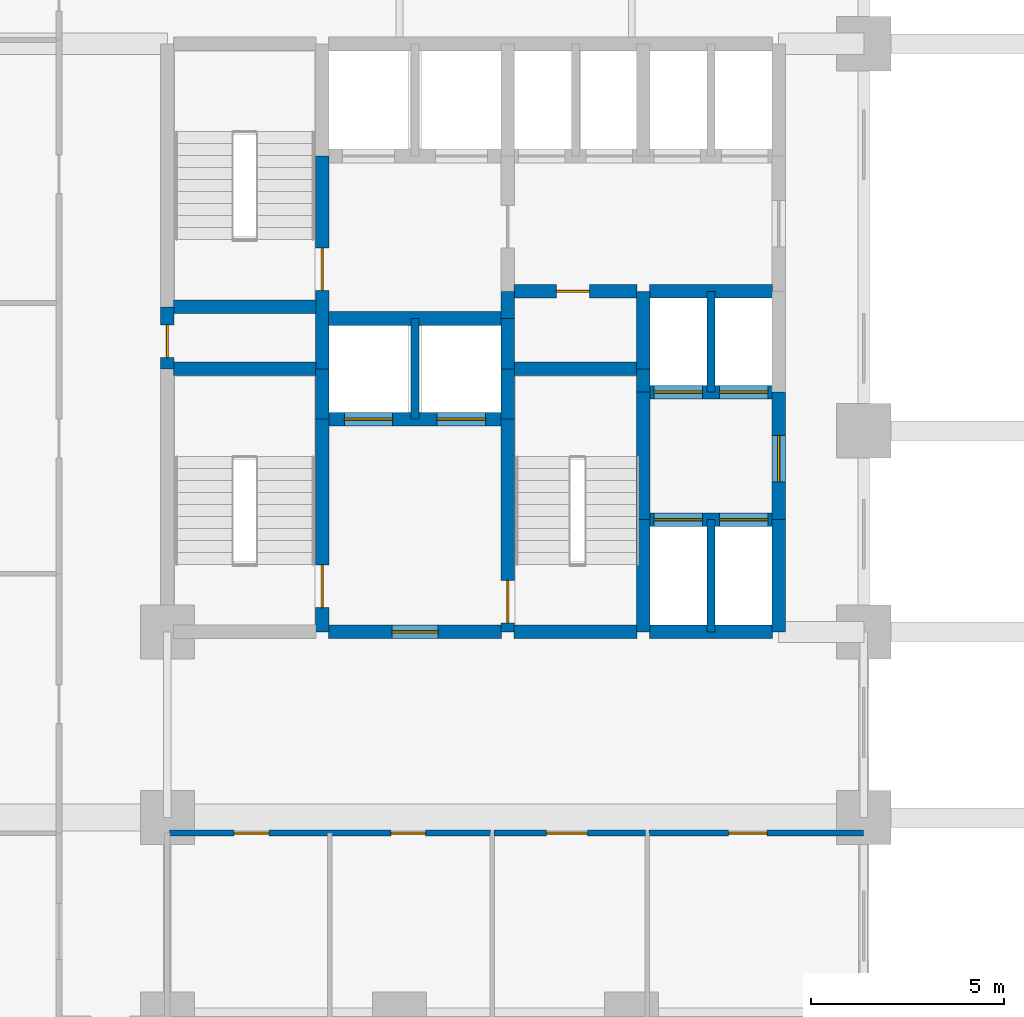
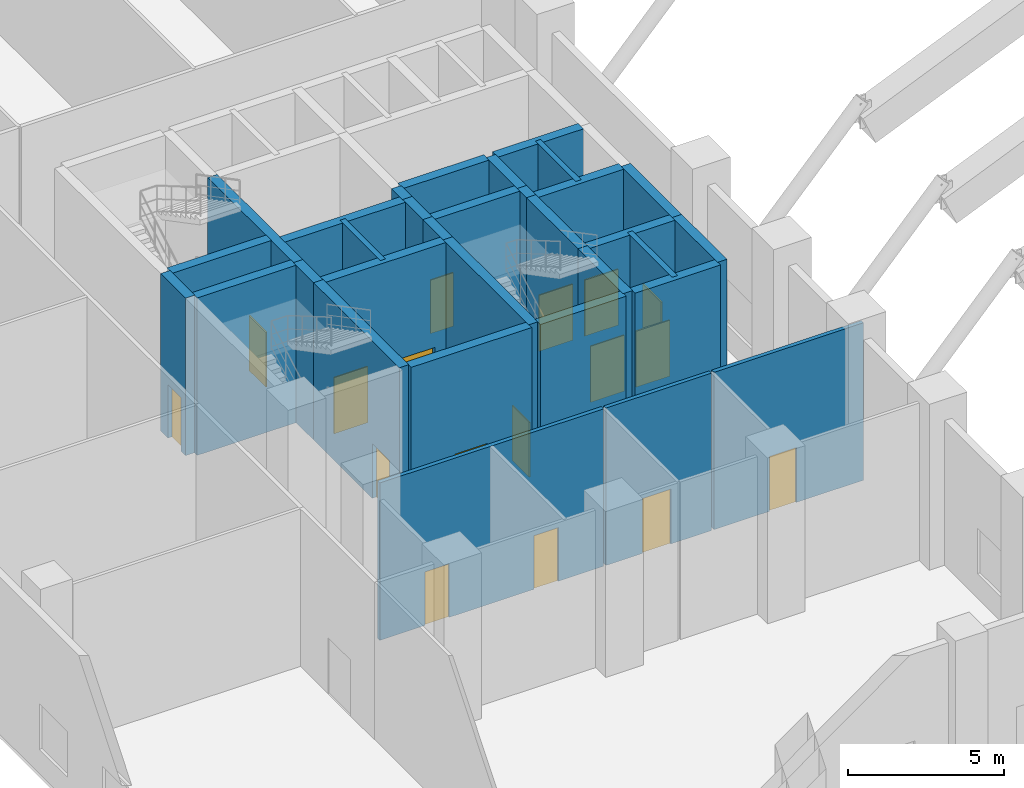
# One storey, part 4 of 10: 32 walls, 17 doors, 17 openings.
"""IFC4 building model written with IfcOpenShell, lengths in metres."""

from ifc_helpers import new_model, si_unit, direction, frame, frame_2d, origin, place, context, subcontext, project, spatial, rectangle, extrude, material, layer, layer_set, type_object, element, fill, save


model = new_model("IFC4")

# Units and contexts
model_context = context("Model", 3, precision=1e-05, world=origin(), true_north=direction((0.0, 1.0)))
body_context = subcontext(model_context, "Body", "Model", "MODEL_VIEW")
ifc_project = project(units=[si_unit("LENGTHUNIT", "METRE"), si_unit("AREAUNIT", "SQUARE_METRE"), si_unit("VOLUMEUNIT", "CUBIC_METRE"), si_unit("PLANEANGLEUNIT", "RADIAN"), si_unit("MASSUNIT", "GRAM", prefix="KILO")], contexts=[model_context])

# Site, building, storey
site_placement = place(None, origin())
site = spatial("IfcSite", under=ifc_project, at=site_placement, CompositionType="ELEMENT")
building_placement = place(site_placement, origin())
building = spatial("IfcBuilding", under=site, at=building_placement, Name="Keshet Zoharim Tower", CompositionType="ELEMENT")
storey_placement = place(building_placement, frame((0.0, 0.0, 6.5)))
storey = spatial("IfcBuildingStorey", under=building, at=storey_placement, Name="L01", CompositionType="ELEMENT", Elevation=6.5)

# Wall, openings, doors
ifc_material_1 = material(Name="Gypsum Plasterboard", Category="gypsum")
ifc_layer_1 = layer(ifc_material_1, 0.14990234375)
ifc_layer_set_1 = layer_set([ifc_layer_1], Name="Gypsum Plasterboard")
wall_type_1 = type_object("IfcWallType", Name="WL-CLIN-150", PredefinedType="STANDARD", material=ifc_layer_set_1)
wall_1_placement = place(storey_placement, frame((15.06005859375, 17.5, 0.0), z_axis=(0.0, 0.0, 1.0), x_axis=(1.0, 0.0, 0.0)))
wall_1 = element("IfcWall", 1, at=wall_1_placement, inside=storey, type_object=wall_type_1, Name="L01 Interior Wall 052", PredefinedType="STANDARD", context=body_context, shape_type="SweptSolid", body=[
    extrude(rectangle(XDim=8.294921875, YDim=0.14990234375, at=frame_2d((4.1474609375, 0.0))), origin(), (0.0, 0.0, 1.0), 6.169921875),
])
opening_1_placement = place(wall_1_placement, frame((1.6650390625, 0.0, 0.0)))
opening_1 = element("IfcOpeningElement", 2, at=opening_1_placement, cuts=wall_1, Name="Opening D-WT90", PredefinedType="OPENING", context=body_context, shape_type="SweptSolid", body=[
    extrude(rectangle(XDim=0.89990234375, YDim=2.10009765625, at=frame_2d((0.449951171875, 1.050048828125))), frame((0.0, 0.0849609375, 0.0), z_axis=(0.0, -1.0, 0.0), x_axis=(1.0, 0.0, 0.0)), (0.0, 0.0, 1.0), 0.169921875),
])
opening_2_placement = place(wall_1_placement, frame((5.715087890625, 0.0, 0.0)))
opening_2 = element("IfcOpeningElement", 3, at=opening_2_placement, cuts=wall_1, Name="Opening D-WT90", PredefinedType="OPENING", context=body_context, shape_type="SweptSolid", body=[
    extrude(rectangle(XDim=0.89990234375, YDim=2.10009765625, at=frame_2d((0.449951171875, 1.050048828125))), frame((0.0, 0.0849609375, 0.0), z_axis=(0.0, -1.0, 0.0), x_axis=(1.0, 0.0, 0.0)), (0.0, 0.0, 1.0), 0.169921875),
])
ifc_material_2 = material(Name="Hardwood Timber", Category="wood")
door_type_1 = type_object("IfcDoorType", Name="DR-WET-090", OperationType="NOTDEFINED", PredefinedType="DOOR", material=ifc_material_2)
door_1_placement = place(opening_1_placement, origin())
door_1 = element("IfcDoor", 4, at=door_1_placement, inside=storey, type_object=door_type_1, Name="L01 Public Male WC Door", OperationType="SINGLE_SWING_RIGHT", OverallHeight=2.10009765625, OverallWidth=0.89990234375, PredefinedType="DOOR", context=body_context, shape_type="SweptSolid", body=[
    extrude(rectangle(XDim=0.89990234375, YDim=2.10009765625, at=frame_2d((0.449951171875, 1.050048828125))), frame((0.0, 0.02490234375, 0.0), z_axis=(0.0, -1.0, 0.0), x_axis=(1.0, 0.0, 0.0)), (0.0, 0.0, 1.0), 0.050048828125),
])
fill(opening_1, door_1)
door_2_placement = place(opening_2_placement, origin())
door_2 = element("IfcDoor", 5, at=door_2_placement, inside=storey, type_object=door_type_1, Name="L01 Public Female WC Door", OperationType="SINGLE_SWING_LEFT", OverallHeight=2.10009765625, OverallWidth=0.89990234375, PredefinedType="DOOR", context=body_context, shape_type="SweptSolid", body=[
    extrude(rectangle(XDim=0.89990234375, YDim=2.10009765625, at=frame_2d((0.449951171875, 1.050048828125))), frame((0.0, 0.02490234375, 0.0), z_axis=(0.0, -1.0, 0.0), x_axis=(1.0, 0.0, 0.0)), (0.0, 0.0, 1.0), 0.050048828125),
])
fill(opening_2, door_2)

# Wall, opening, door
wall_2_placement = place(storey_placement, frame((23.445068359375, 17.5, 0.0), z_axis=(0.0, 0.0, 1.0), x_axis=(1.0, 0.0, 0.0)))
wall_2 = element("IfcWall", 6, at=wall_2_placement, inside=storey, type_object=wall_type_1, Name="L01 Interior Wall 053", PredefinedType="STANDARD", context=body_context, shape_type="SweptSolid", body=[
    extrude(rectangle(XDim=3.909912109375, YDim=0.14990234375, at=frame_2d((1.955078125, 0.0))), origin(), (0.0, 0.0, 1.0), 6.169921875),
])
opening_3_placement = place(wall_2_placement, frame((1.35791015625, 0.0, 0.0)))
opening_3 = element("IfcOpeningElement", 7, at=opening_3_placement, cuts=wall_2, Name="Opening D-AC10", PredefinedType="OPENING", context=body_context, shape_type="SweptSolid", body=[
    extrude(rectangle(XDim=1.050048828125, YDim=2.14990234375, at=frame_2d((0.52490234375, 1.074951171875))), frame((0.0, 0.0849609375, 0.0), z_axis=(0.0, -1.0, 0.0), x_axis=(1.0, 0.0, 0.0)), (0.0, 0.0, 1.0), 0.169921875),
])
door_type_2 = type_object("IfcDoorType", Name="DR-ACC-105", OperationType="NOTDEFINED", PredefinedType="DOOR", material=ifc_material_2)
door_3_placement = place(opening_3_placement, origin())
door_3 = element("IfcDoor", 8, at=door_3_placement, inside=storey, type_object=door_type_2, Name="L01 Public Accessible WC Door", OperationType="SINGLE_SWING_RIGHT", OverallHeight=2.14990234375, OverallWidth=1.050048828125, PredefinedType="DOOR", context=body_context, shape_type="SweptSolid", body=[
    extrude(rectangle(XDim=1.050048828125, YDim=2.14990234375, at=frame_2d((0.52490234375, 1.074951171875))), frame((0.0, 0.02490234375, 0.0), z_axis=(0.0, -1.0, 0.0), x_axis=(1.0, 0.0, 0.0)), (0.0, 0.0, 1.0), 0.050048828125),
])
fill(opening_3, door_3)

wall_3_placement = place(storey_placement, frame((27.445068359375, 17.5, 0.0), z_axis=(0.0, 0.0, 1.0), x_axis=(1.0, 0.0, 0.0)))
wall_3 = element("IfcWall", 9, at=wall_3_placement, inside=storey, type_object=wall_type_1, Name="L01 Interior Wall 054", PredefinedType="STANDARD", context=body_context, shape_type="SweptSolid", body=[
    extrude(rectangle(XDim=5.544921875, YDim=0.14990234375, at=frame_2d((2.7724609375, 0.0))), origin(), (0.0, 0.0, 1.0), 6.169921875),
])
opening_4_placement = place(wall_3_placement, frame((2.05908203125, 0.0, 0.0)))
opening_4 = element("IfcOpeningElement", 10, at=opening_4_placement, cuts=wall_3, Name="Opening D-F310", PredefinedType="OPENING", context=body_context, shape_type="SweptSolid", body=[
    extrude(rectangle(XDim=1.0, YDim=2.14990234375, at=frame_2d((0.5, 1.074951171875))), frame((0.0, 0.0849609375, 0.0), z_axis=(0.0, -1.0, 0.0), x_axis=(1.0, 0.0, 0.0)), (0.0, 0.0, 1.0), 0.169921875),
])
door_type_3 = type_object("IfcDoorType", Name="DR-FD30-100", OperationType="NOTDEFINED", PredefinedType="DOOR", material=ifc_material_2)
door_4_placement = place(opening_4_placement, origin())
door_4 = element("IfcDoor", 11, at=door_4_placement, inside=storey, type_object=door_type_3, Name="L01 Staff Lounge Door", OperationType="SINGLE_SWING_LEFT", OverallHeight=2.14990234375, OverallWidth=1.0, PredefinedType="DOOR", context=body_context, shape_type="SweptSolid", body=[
    extrude(rectangle(XDim=1.0, YDim=2.14990234375, at=frame_2d((0.5, 1.074951171875))), frame((0.0, 0.02490234375, 0.0), z_axis=(0.0, -1.0, 0.0), x_axis=(1.0, 0.0, 0.0)), (0.0, 0.0, 1.0), 0.050048828125),
])
fill(opening_4, door_4)

ifc_material_3 = material(Name="Concrete C60/75", Category="concrete")
ifc_layer_2 = layer(ifc_material_3, 0.35009765625)
ifc_layer_set_2 = layer_set([ifc_layer_2], Name="Concrete C60/75")
wall_type_2 = type_object("IfcWallType", Name="WL-CORE-350", PredefinedType="SHEAR", material=ifc_layer_set_2)
wall_4_placement = place(storey_placement, frame((15.0, 29.5, 0.0), z_axis=(0.0, 0.0, 1.0), x_axis=(0.0, 1.0, 0.0)))
wall_4 = element("IfcWall", 12, at=wall_4_placement, inside=storey, type_object=wall_type_2, Name="L01 Core Shear Wall 008", PredefinedType="SHEAR", context=body_context, shape_type="SweptSolid", body=[
    extrude(rectangle(XDim=1.60009765625, YDim=0.35009765625, at=frame_2d((0.800048828125, 0.0))), origin(), (0.0, 0.0, 1.0), 6.169921875),
])
opening_5_placement = place(wall_4_placement, frame((0.287109375, 0.0, 0.0)))
opening_5 = element("IfcOpeningElement", 13, at=opening_5_placement, cuts=wall_4, Name="Opening D-RS85", PredefinedType="OPENING", context=body_context, shape_type="SweptSolid", body=[
    extrude(rectangle(XDim=0.85009765625, YDim=2.10009765625, at=frame_2d((0.425048828125, 1.050048828125))), frame((0.0, 0.18505859375, 0.0), z_axis=(0.0, -1.0, 0.0), x_axis=(1.0, 0.0, 0.0)), (0.0, 0.0, 1.0), 0.3701171875),
])
door_type_4 = type_object("IfcDoorType", Name="DR-RIS-085", OperationType="NOTDEFINED", PredefinedType="DOOR", material=ifc_material_2)
door_5_placement = place(opening_5_placement, origin())
door_5 = element("IfcDoor", 14, at=door_5_placement, inside=storey, type_object=door_type_4, Name="L01 Electrical Riser Access Cupboard Door", OperationType="SINGLE_SWING_RIGHT", OverallHeight=2.10009765625, OverallWidth=0.85009765625, PredefinedType="DOOR", context=body_context, shape_type="SweptSolid", body=[
    extrude(rectangle(XDim=0.85009765625, YDim=2.10009765625, at=frame_2d((0.425048828125, 1.050048828125))), frame((0.0, 0.02490234375, 0.0), z_axis=(0.0, -1.0, 0.0), x_axis=(1.0, 0.0, 0.0)), (0.0, 0.0, 1.0), 0.050048828125),
])
fill(opening_5, door_5)

wall_5_placement = place(storey_placement, frame((19.0, 22.699951171875, 0.0), z_axis=(0.0, 0.0, 1.0), x_axis=(0.0, 1.0, 0.0)))
wall_5 = element("IfcWall", 15, at=wall_5_placement, inside=storey, type_object=wall_type_2, Name="L01 Core Shear Wall 011", PredefinedType="SHEAR", context=body_context, shape_type="SweptSolid", body=[
    extrude(rectangle(XDim=5.5, YDim=0.35009765625, at=frame_2d((2.75, 0.0))), origin(), (0.0, 0.0, 1.0), 6.169921875),
])
opening_6_placement = place(wall_5_placement, frame((0.631103515625, 0.0, 0.0)))
opening_6 = element("IfcOpeningElement", 16, at=opening_6_placement, cuts=wall_5, Name="Opening D-F611", PredefinedType="OPENING", context=body_context, shape_type="SweptSolid", body=[
    extrude(rectangle(XDim=1.10009765625, YDim=2.14990234375, at=frame_2d((0.550048828125, 1.074951171875))), frame((0.0, 0.18505859375, 0.0), z_axis=(0.0, -1.0, 0.0), x_axis=(1.0, 0.0, 0.0)), (0.0, 0.0, 1.0), 0.3701171875),
])
door_type_5 = type_object("IfcDoorType", Name="DR-FD60-110", OperationType="NOTDEFINED", PredefinedType="DOOR", material=ifc_material_2)
door_6_placement = place(opening_6_placement, origin())
door_6 = element("IfcDoor", 17, at=door_6_placement, inside=storey, type_object=door_type_5, Name="L01 Exit Stair ST-01 Fire Door", OperationType="SINGLE_SWING_LEFT", OverallHeight=2.14990234375, OverallWidth=1.10009765625, PredefinedType="DOOR", context=body_context, shape_type="SweptSolid", body=[
    extrude(rectangle(XDim=1.10009765625, YDim=2.14990234375, at=frame_2d((0.550048828125, 1.074951171875))), frame((0.0, 0.02490234375, 0.0), z_axis=(0.0, -1.0, 0.0), x_axis=(1.0, 0.0, 0.0)), (0.0, 0.0, 1.0), 0.050048828125),
])
fill(opening_6, door_6)

# Wall
wall_6_placement = place(storey_placement, frame((19.0, 28.199951171875, 0.0), z_axis=(0.0, 0.0, 1.0), x_axis=(0.0, 1.0, 0.0)))
element("IfcWall", 18, at=wall_6_placement, inside=storey, type_object=wall_type_2, Name="L01 Core Shear Wall 012", PredefinedType="SHEAR", context=body_context, shape_type="SweptSolid", body=[
    extrude(rectangle(XDim=1.300048828125, YDim=0.35009765625, at=frame_2d((0.64990234375, 0.0))), origin(), (0.0, 0.0, 1.0), 6.169921875),
])

# Wall, opening, door
wall_7_placement = place(storey_placement, frame((19.0, 29.5, 0.0), z_axis=(0.0, 0.0, 1.0), x_axis=(0.0, 1.0, 0.0)))
wall_7 = element("IfcWall", 19, at=wall_7_placement, inside=storey, type_object=wall_type_2, Name="L01 Core Shear Wall 013", PredefinedType="SHEAR", context=body_context, shape_type="SweptSolid", body=[
    extrude(rectangle(XDim=5.5, YDim=0.35009765625, at=frame_2d((2.75, 0.0))), origin(), (0.0, 0.0, 1.0), 6.169921875),
])
opening_7_placement = place(wall_7_placement, frame((2.02490234375, 0.0, 0.0)))
opening_7 = element("IfcOpeningElement", 20, at=opening_7_placement, cuts=wall_7, Name="Opening D-F611", PredefinedType="OPENING", context=body_context, shape_type="SweptSolid", body=[
    extrude(rectangle(XDim=1.10009765625, YDim=2.14990234375, at=frame_2d((0.550048828125, 1.074951171875))), frame((0.0, 0.18505859375, 0.0), z_axis=(0.0, -1.0, 0.0), x_axis=(1.0, 0.0, 0.0)), (0.0, 0.0, 1.0), 0.3701171875),
])
door_7_placement = place(opening_7_placement, origin())
door_7 = element("IfcDoor", 21, at=door_7_placement, inside=storey, type_object=door_type_5, Name="L01 Exit Stair ST-02 Fire Door", OperationType="SINGLE_SWING_RIGHT", OverallHeight=2.14990234375, OverallWidth=1.10009765625, PredefinedType="DOOR", context=body_context, shape_type="SweptSolid", body=[
    extrude(rectangle(XDim=1.10009765625, YDim=2.14990234375, at=frame_2d((0.550048828125, 1.074951171875))), frame((0.0, 0.02490234375, 0.0), z_axis=(0.0, -1.0, 0.0), x_axis=(1.0, 0.0, 0.0)), (0.0, 0.0, 1.0), 0.050048828125),
])
fill(opening_7, door_7)

wall_8_placement = place(storey_placement, frame((23.800048828125, 22.699951171875, 0.0), z_axis=(0.0, 0.0, 1.0), x_axis=(0.0, 1.0, 0.0)))
wall_8 = element("IfcWall", 22, at=wall_8_placement, inside=storey, type_object=wall_type_2, Name="L01 Core Shear Wall 020", PredefinedType="SHEAR", context=body_context, shape_type="SweptSolid", body=[
    extrude(rectangle(XDim=5.5, YDim=0.35009765625, at=frame_2d((2.75, 0.0))), origin(), (0.0, 0.0, 1.0), 6.169921875),
])
opening_8_placement = place(wall_8_placement, frame((0.235107421875, 0.0, 0.0)))
opening_8 = element("IfcOpeningElement", 23, at=opening_8_placement, cuts=wall_8, Name="Opening D-F611", PredefinedType="OPENING", context=body_context, shape_type="SweptSolid", body=[
    extrude(rectangle(XDim=1.10009765625, YDim=2.14990234375, at=frame_2d((0.550048828125, 1.074951171875))), frame((0.0, 0.18505859375, 0.0), z_axis=(0.0, -1.0, 0.0), x_axis=(1.0, 0.0, 0.0)), (0.0, 0.0, 1.0), 0.3701171875),
])
door_8_placement = place(opening_8_placement, frame((1.10009765625, 0.0, 0.0), z_axis=(0.0, 0.0, 1.0), x_axis=(-1.0, 0.0, 0.0)))
door_8 = element("IfcDoor", 24, at=door_8_placement, inside=storey, type_object=door_type_5, Name="L01 Exit Stair ST-03 Fire Door", OperationType="SINGLE_SWING_LEFT", OverallHeight=2.14990234375, OverallWidth=1.10009765625, PredefinedType="DOOR", context=body_context, shape_type="SweptSolid", body=[
    extrude(rectangle(XDim=1.10009765625, YDim=2.14990234375, at=frame_2d((0.550048828125, 1.074951171875))), frame((0.0, 0.02490234375, 0.0), z_axis=(0.0, -1.0, 0.0), x_axis=(1.0, 0.0, 0.0)), (0.0, 0.0, 1.0), 0.050048828125),
])
fill(opening_8, door_8)

# Walls
for number, where, z_axis, x_axis, name in (
    (25, (23.800048828125, 28.199951171875, 0.0), (0.0, 0.0, 1.0), (0.0, 1.0, 0.0), "L01 Core Shear Wall 021"),
    (26, (23.800048828125, 29.5, 0.0), (0.0, 0.0, 1.0), (0.0, 1.0, 0.0), "L01 Core Shear Wall 022"),
):
    element("IfcWall", number, at=place(storey_placement, frame(where, z_axis=z_axis, x_axis=x_axis)), inside=storey, type_object=wall_type_2, Name=name, PredefinedType="SHEAR", context=body_context, shape_type="SweptSolid", body=[
        extrude(rectangle(XDim=1.300048828125, YDim=0.35009765625, at=frame_2d((0.64990234375, 0.0))), origin(), (0.0, 0.0, 1.0), 6.169921875),
    ])
wall_9_placement = place(storey_placement, frame((23.800048828125, 30.800048828125, 0.0), z_axis=(0.0, 0.0, 1.0), x_axis=(0.0, 1.0, 0.0)))
element("IfcWall", 27, at=wall_9_placement, inside=storey, type_object=wall_type_2, Name="L01 Core Shear Wall 023", PredefinedType="SHEAR", context=body_context, shape_type="SweptSolid", body=[
    extrude(rectangle(XDim=0.699951171875, YDim=0.35009765625, at=frame_2d((0.35009765625, 0.0))), origin(), (0.0, 0.0, 1.0), 6.169921875),
])
wall_10_placement = place(storey_placement, frame((27.300048828125, 22.699951171875, 0.0), z_axis=(0.0, 0.0, 1.0), x_axis=(0.0, 1.0, 0.0)))
element("IfcWall", 28, at=wall_10_placement, inside=storey, type_object=wall_type_2, Name="L01 Core Shear Wall 027", PredefinedType="SHEAR", context=body_context, shape_type="SweptSolid", body=[
    extrude(rectangle(XDim=2.900146484375, YDim=0.35009765625, at=frame_2d((1.4501953125, 0.0))), origin(), (0.0, 0.0, 1.0), 6.169921875),
])
wall_11_placement = place(storey_placement, frame((27.300048828125, 25.60009765625, 0.0), z_axis=(0.0, 0.0, 1.0), x_axis=(0.0, 1.0, 0.0)))
element("IfcWall", 29, at=wall_11_placement, inside=storey, type_object=wall_type_2, Name="L01 Core Shear Wall 028", PredefinedType="SHEAR", context=body_context, shape_type="SweptSolid", body=[
    extrude(rectangle(XDim=3.2998046875, YDim=0.35009765625, at=frame_2d((1.64990234375, 0.0))), origin(), (0.0, 0.0, 1.0), 6.169921875),
])
wall_12_placement = place(storey_placement, frame((27.300048828125, 28.89990234375, 0.0), z_axis=(0.0, 0.0, 1.0), x_axis=(0.0, 1.0, 0.0)))
element("IfcWall", 30, at=wall_12_placement, inside=storey, type_object=wall_type_2, Name="L01 Core Shear Wall 029", PredefinedType="SHEAR", context=body_context, shape_type="SweptSolid", body=[
    extrude(rectangle(XDim=0.60009765625, YDim=0.35009765625, at=frame_2d((0.300048828125, 0.0))), origin(), (0.0, 0.0, 1.0), 6.169921875),
])
wall_13_placement = place(storey_placement, frame((27.300048828125, 29.5, 0.0), z_axis=(0.0, 0.0, 1.0), x_axis=(0.0, 1.0, 0.0)))
element("IfcWall", 31, at=wall_13_placement, inside=storey, type_object=wall_type_2, Name="L01 Core Shear Wall 030", PredefinedType="SHEAR", context=body_context, shape_type="SweptSolid", body=[
    extrude(rectangle(XDim=2.0, YDim=0.35009765625, at=frame_2d((1.0, 0.0))), origin(), (0.0, 0.0, 1.0), 6.169921875),
])
wall_14_placement = place(storey_placement, frame((30.800048828125, 22.699951171875, 0.0), z_axis=(0.0, 0.0, 1.0), x_axis=(0.0, 1.0, 0.0)))
element("IfcWall", 32, at=wall_14_placement, inside=storey, type_object=wall_type_2, Name="L01 Core Shear Wall 037", PredefinedType="SHEAR", context=body_context, shape_type="SweptSolid", body=[
    extrude(rectangle(XDim=2.900146484375, YDim=0.35009765625, at=frame_2d((1.4501953125, 0.0))), origin(), (0.0, 0.0, 1.0), 6.169921875),
])

# Wall, opening, door
wall_15_placement = place(storey_placement, frame((30.800048828125, 25.60009765625, 0.0), z_axis=(0.0, 0.0, 1.0), x_axis=(0.0, 1.0, 0.0)))
wall_15 = element("IfcWall", 33, at=wall_15_placement, inside=storey, type_object=wall_type_2, Name="L01 Core Shear Wall 038", PredefinedType="SHEAR", context=body_context, shape_type="SweptSolid", body=[
    extrude(rectangle(XDim=3.2998046875, YDim=0.35009765625, at=frame_2d((1.64990234375, 0.0))), origin(), (0.0, 0.0, 1.0), 6.169921875),
])
opening_9_placement = place(wall_15_placement, frame((0.97802734375, 0.0, 0.0)))
opening_9 = element("IfcOpeningElement", 34, at=opening_9_placement, cuts=wall_15, Name="Opening D-F612", PredefinedType="OPENING", context=body_context, shape_type="SweptSolid", body=[
    extrude(rectangle(XDim=1.199951171875, YDim=2.199951171875, at=frame_2d((0.60009765625, 1.10009765625))), frame((0.0, 0.18505859375, 0.0), z_axis=(0.0, -1.0, 0.0), x_axis=(1.0, 0.0, 0.0)), (0.0, 0.0, 1.0), 0.3701171875),
])
door_type_6 = type_object("IfcDoorType", Name="DR-FD60-120", OperationType="NOTDEFINED", PredefinedType="DOOR", material=ifc_material_2)
door_9_placement = place(opening_9_placement, origin())
door_9 = element("IfcDoor", 35, at=door_9_placement, inside=storey, type_object=door_type_6, Name="L01 East Lift Lobby Fire Door", OperationType="SINGLE_SWING_LEFT", OverallHeight=2.199951171875, OverallWidth=1.199951171875, PredefinedType="DOOR", context=body_context, shape_type="SweptSolid", body=[
    extrude(rectangle(XDim=1.199951171875, YDim=2.199951171875, at=frame_2d((0.60009765625, 1.10009765625))), frame((0.0, 0.02490234375, 0.0), z_axis=(0.0, -1.0, 0.0), x_axis=(1.0, 0.0, 0.0)), (0.0, 0.0, 1.0), 0.050048828125),
])
fill(opening_9, door_9)

wall_16_placement = place(storey_placement, frame((19.159912109375, 22.699951171875, 0.0), z_axis=(0.0, 0.0, 1.0), x_axis=(1.0, 0.0, 0.0)))
wall_16 = element("IfcWall", 36, at=wall_16_placement, inside=storey, type_object=wall_type_2, Name="L01 Core Shear Wall 057", PredefinedType="SHEAR", context=body_context, shape_type="SweptSolid", body=[
    extrude(rectangle(XDim=4.47998046875, YDim=0.35009765625, at=frame_2d((2.239990234375, 0.0))), origin(), (0.0, 0.0, 1.0), 6.169921875),
])
opening_10_placement = place(wall_16_placement, frame((1.639892578125, 0.0, 0.0)))
opening_10 = element("IfcOpeningElement", 37, at=opening_10_placement, cuts=wall_16, Name="Opening D-F612", PredefinedType="OPENING", context=body_context, shape_type="SweptSolid", body=[
    extrude(rectangle(XDim=1.199951171875, YDim=2.199951171875, at=frame_2d((0.60009765625, 1.10009765625))), frame((0.0, 0.18505859375, 0.0), z_axis=(0.0, -1.0, 0.0), x_axis=(1.0, 0.0, 0.0)), (0.0, 0.0, 1.0), 0.3701171875),
])
door_10_placement = place(opening_10_placement, origin())
door_10 = element("IfcDoor", 38, at=door_10_placement, inside=storey, type_object=door_type_6, Name="L01 South Core Lobby Fire Door", OperationType="SINGLE_SWING_RIGHT", OverallHeight=2.199951171875, OverallWidth=1.199951171875, PredefinedType="DOOR", context=body_context, shape_type="SweptSolid", body=[
    extrude(rectangle(XDim=1.199951171875, YDim=2.199951171875, at=frame_2d((0.60009765625, 1.10009765625))), frame((0.0, 0.02490234375, 0.0), z_axis=(0.0, -1.0, 0.0), x_axis=(1.0, 0.0, 0.0)), (0.0, 0.0, 1.0), 0.050048828125),
])
fill(opening_10, door_10)

# Walls
for number, where, z_axis, x_axis, name in (
    (39, (23.9599609375, 22.699951171875, 0.0), (0.0, 0.0, 1.0), (1.0, 0.0, 0.0), "L01 Core Shear Wall 058"),
    (40, (27.4599609375, 22.699951171875, 0.0), (0.0, 0.0, 1.0), (1.0, 0.0, 0.0), "L01 Core Shear Wall 059"),
):
    element("IfcWall", number, at=place(storey_placement, frame(where, z_axis=z_axis, x_axis=x_axis)), inside=storey, type_object=wall_type_2, Name=name, PredefinedType="SHEAR", context=body_context, shape_type="SweptSolid", body=[
        extrude(rectangle(XDim=3.179931640625, YDim=0.35009765625, at=frame_2d((1.58984375, 0.0))), origin(), (0.0, 0.0, 1.0), 6.169921875),
    ])

# Wall, openings, doors
wall_17_placement = place(storey_placement, frame((27.4599609375, 25.60009765625, 0.0), z_axis=(0.0, 0.0, 1.0), x_axis=(1.0, 0.0, 0.0)))
wall_17 = element("IfcWall", 41, at=wall_17_placement, inside=storey, type_object=wall_type_2, Name="L01 Core Shear Wall 062", PredefinedType="SHEAR", context=body_context, shape_type="SweptSolid", body=[
    extrude(rectangle(XDim=3.179931640625, YDim=0.35009765625, at=frame_2d((1.58984375, 0.0))), origin(), (0.0, 0.0, 1.0), 6.169921875),
])
opening_11_placement = place(wall_17_placement, frame((0.1201171875, 0.0, 0.0)))
opening_11 = element("IfcOpeningElement", 42, at=opening_11_placement, cuts=wall_17, Name="Opening LD-01", PredefinedType="OPENING", context=body_context, shape_type="SweptSolid", body=[
    extrude(rectangle(XDim=1.25, YDim=2.199951171875, at=frame_2d((0.625, 1.10009765625))), frame((0.0, 0.18505859375, 0.0), z_axis=(0.0, -1.0, 0.0), x_axis=(1.0, 0.0, 0.0)), (0.0, 0.0, 1.0), 0.3701171875),
])
opening_12_placement = place(wall_17_placement, frame((1.81005859375, 0.0, 0.0)))
opening_12 = element("IfcOpeningElement", 43, at=opening_12_placement, cuts=wall_17, Name="Opening LD-01", PredefinedType="OPENING", context=body_context, shape_type="SweptSolid", body=[
    extrude(rectangle(XDim=1.25, YDim=2.199951171875, at=frame_2d((0.625, 1.10009765625))), frame((0.0, 0.18505859375, 0.0), z_axis=(0.0, -1.0, 0.0), x_axis=(1.0, 0.0, 0.0)), (0.0, 0.0, 1.0), 0.3701171875),
])
ifc_material_4 = material(Name="Steel S355", Category="steel")
door_type_7 = type_object("IfcDoorType", Name="DR-LD01-125", OperationType="DOUBLE_DOOR_SLIDING", PredefinedType="DOOR", material=ifc_material_4)
door_11_placement = place(opening_11_placement, origin())
door_11 = element("IfcDoor", 44, at=door_11_placement, inside=storey, type_object=door_type_7, Name="L01 Passenger Lift Landing Door LF-07", OperationType="DOUBLE_DOOR_SLIDING", OverallHeight=2.199951171875, OverallWidth=1.25, PredefinedType="DOOR", context=body_context, shape_type="SweptSolid", body=[
    extrude(rectangle(XDim=1.25, YDim=2.199951171875, at=frame_2d((0.625, 1.10009765625))), frame((0.0, 0.02490234375, 0.0), z_axis=(0.0, -1.0, 0.0), x_axis=(1.0, 0.0, 0.0)), (0.0, 0.0, 1.0), 0.050048828125),
])
fill(opening_11, door_11)
door_12_placement = place(opening_12_placement, origin())
door_12 = element("IfcDoor", 45, at=door_12_placement, inside=storey, type_object=door_type_7, Name="L01 Passenger Lift Landing Door LF-08", OperationType="DOUBLE_DOOR_SLIDING", OverallHeight=2.199951171875, OverallWidth=1.25, PredefinedType="DOOR", context=body_context, shape_type="SweptSolid", body=[
    extrude(rectangle(XDim=1.25, YDim=2.199951171875, at=frame_2d((0.625, 1.10009765625))), frame((0.0, 0.02490234375, 0.0), z_axis=(0.0, -1.0, 0.0), x_axis=(1.0, 0.0, 0.0)), (0.0, 0.0, 1.0), 0.050048828125),
])
fill(opening_12, door_12)

wall_18_placement = place(storey_placement, frame((19.159912109375, 28.199951171875, 0.0), z_axis=(0.0, 0.0, 1.0), x_axis=(1.0, 0.0, 0.0)))
wall_18 = element("IfcWall", 46, at=wall_18_placement, inside=storey, type_object=wall_type_2, Name="L01 Core Shear Wall 063", PredefinedType="SHEAR", context=body_context, shape_type="SweptSolid", body=[
    extrude(rectangle(XDim=4.47998046875, YDim=0.35009765625, at=frame_2d((2.239990234375, 0.0))), origin(), (0.0, 0.0, 1.0), 6.169921875),
])
opening_13_placement = place(wall_18_placement, frame((0.4150390625, 0.0, 0.0)))
opening_13 = element("IfcOpeningElement", 47, at=opening_13_placement, cuts=wall_18, Name="Opening LD-01", PredefinedType="OPENING", context=body_context, shape_type="SweptSolid", body=[
    extrude(rectangle(XDim=1.25, YDim=2.199951171875, at=frame_2d((0.625, 1.10009765625))), frame((0.0, 0.18505859375, 0.0), z_axis=(0.0, -1.0, 0.0), x_axis=(1.0, 0.0, 0.0)), (0.0, 0.0, 1.0), 0.3701171875),
])
opening_14_placement = place(wall_18_placement, frame((2.81494140625, 0.0, 0.0)))
opening_14 = element("IfcOpeningElement", 48, at=opening_14_placement, cuts=wall_18, Name="Opening LD-01", PredefinedType="OPENING", context=body_context, shape_type="SweptSolid", body=[
    extrude(rectangle(XDim=1.25, YDim=2.199951171875, at=frame_2d((0.625, 1.10009765625))), frame((0.0, 0.18505859375, 0.0), z_axis=(0.0, -1.0, 0.0), x_axis=(1.0, 0.0, 0.0)), (0.0, 0.0, 1.0), 0.3701171875),
])
door_13_placement = place(opening_13_placement, origin())
door_13 = element("IfcDoor", 49, at=door_13_placement, inside=storey, type_object=door_type_7, Name="L01 Passenger Lift Landing Door LF-09", OperationType="DOUBLE_DOOR_SLIDING", OverallHeight=2.199951171875, OverallWidth=1.25, PredefinedType="DOOR", context=body_context, shape_type="SweptSolid", body=[
    extrude(rectangle(XDim=1.25, YDim=2.199951171875, at=frame_2d((0.625, 1.10009765625))), frame((0.0, 0.02490234375, 0.0), z_axis=(0.0, -1.0, 0.0), x_axis=(1.0, 0.0, 0.0)), (0.0, 0.0, 1.0), 0.050048828125),
])
fill(opening_13, door_13)
door_14_placement = place(opening_14_placement, origin())
door_14 = element("IfcDoor", 50, at=door_14_placement, inside=storey, type_object=door_type_7, Name="L01 Passenger Lift Landing Door LF-10", OperationType="DOUBLE_DOOR_SLIDING", OverallHeight=2.199951171875, OverallWidth=1.25, PredefinedType="DOOR", context=body_context, shape_type="SweptSolid", body=[
    extrude(rectangle(XDim=1.25, YDim=2.199951171875, at=frame_2d((0.625, 1.10009765625))), frame((0.0, 0.02490234375, 0.0), z_axis=(0.0, -1.0, 0.0), x_axis=(1.0, 0.0, 0.0)), (0.0, 0.0, 1.0), 0.050048828125),
])
fill(opening_14, door_14)

wall_19_placement = place(storey_placement, frame((27.4599609375, 28.89990234375, 0.0), z_axis=(0.0, 0.0, 1.0), x_axis=(1.0, 0.0, 0.0)))
wall_19 = element("IfcWall", 51, at=wall_19_placement, inside=storey, type_object=wall_type_2, Name="L01 Core Shear Wall 064", PredefinedType="SHEAR", context=body_context, shape_type="SweptSolid", body=[
    extrude(rectangle(XDim=3.179931640625, YDim=0.35009765625, at=frame_2d((1.58984375, 0.0))), origin(), (0.0, 0.0, 1.0), 6.169921875),
])
opening_15_placement = place(wall_19_placement, frame((0.1201171875, 0.0, 0.0)))
opening_15 = element("IfcOpeningElement", 52, at=opening_15_placement, cuts=wall_19, Name="Opening LD-01", PredefinedType="OPENING", context=body_context, shape_type="SweptSolid", body=[
    extrude(rectangle(XDim=1.25, YDim=2.199951171875, at=frame_2d((0.625, 1.10009765625))), frame((0.0, 0.18505859375, 0.0), z_axis=(0.0, -1.0, 0.0), x_axis=(1.0, 0.0, 0.0)), (0.0, 0.0, 1.0), 0.3701171875),
])
opening_16_placement = place(wall_19_placement, frame((1.81005859375, 0.0, 0.0)))
opening_16 = element("IfcOpeningElement", 53, at=opening_16_placement, cuts=wall_19, Name="Opening LD-01", PredefinedType="OPENING", context=body_context, shape_type="SweptSolid", body=[
    extrude(rectangle(XDim=1.25, YDim=2.199951171875, at=frame_2d((0.625, 1.10009765625))), frame((0.0, 0.18505859375, 0.0), z_axis=(0.0, -1.0, 0.0), x_axis=(1.0, 0.0, 0.0)), (0.0, 0.0, 1.0), 0.3701171875),
])
door_15_placement = place(opening_15_placement, origin())
door_15 = element("IfcDoor", 54, at=door_15_placement, inside=storey, type_object=door_type_7, Name="L01 Passenger Lift Landing Door LF-05", OperationType="DOUBLE_DOOR_SLIDING", OverallHeight=2.199951171875, OverallWidth=1.25, PredefinedType="DOOR", context=body_context, shape_type="SweptSolid", body=[
    extrude(rectangle(XDim=1.25, YDim=2.199951171875, at=frame_2d((0.625, 1.10009765625))), frame((0.0, 0.02490234375, 0.0), z_axis=(0.0, -1.0, 0.0), x_axis=(1.0, 0.0, 0.0)), (0.0, 0.0, 1.0), 0.050048828125),
])
fill(opening_15, door_15)
door_16_placement = place(opening_16_placement, origin())
door_16 = element("IfcDoor", 55, at=door_16_placement, inside=storey, type_object=door_type_7, Name="L01 Passenger Lift Landing Door LF-06", OperationType="DOUBLE_DOOR_SLIDING", OverallHeight=2.199951171875, OverallWidth=1.25, PredefinedType="DOOR", context=body_context, shape_type="SweptSolid", body=[
    extrude(rectangle(XDim=1.25, YDim=2.199951171875, at=frame_2d((0.625, 1.10009765625))), frame((0.0, 0.02490234375, 0.0), z_axis=(0.0, -1.0, 0.0), x_axis=(1.0, 0.0, 0.0)), (0.0, 0.0, 1.0), 0.050048828125),
])
fill(opening_16, door_16)

# Walls
wall_20_placement = place(storey_placement, frame((15.159912109375, 29.5, 0.0), z_axis=(0.0, 0.0, 1.0), x_axis=(1.0, 0.0, 0.0)))
element("IfcWall", 56, at=wall_20_placement, inside=storey, type_object=wall_type_2, Name="L01 Core Shear Wall 065", PredefinedType="SHEAR", context=body_context, shape_type="SweptSolid", body=[
    extrude(rectangle(XDim=3.68017578125, YDim=0.35009765625, at=frame_2d((1.840087890625, 0.0))), origin(), (0.0, 0.0, 1.0), 6.169921875),
])
wall_21_placement = place(storey_placement, frame((23.9599609375, 29.5, 0.0), z_axis=(0.0, 0.0, 1.0), x_axis=(1.0, 0.0, 0.0)))
element("IfcWall", 57, at=wall_21_placement, inside=storey, type_object=wall_type_2, Name="L01 Core Shear Wall 066", PredefinedType="SHEAR", context=body_context, shape_type="SweptSolid", body=[
    extrude(rectangle(XDim=3.179931640625, YDim=0.35009765625, at=frame_2d((1.58984375, 0.0))), origin(), (0.0, 0.0, 1.0), 6.169921875),
])
wall_22_placement = place(storey_placement, frame((19.159912109375, 30.800048828125, 0.0), z_axis=(0.0, 0.0, 1.0), x_axis=(1.0, 0.0, 0.0)))
element("IfcWall", 58, at=wall_22_placement, inside=storey, type_object=wall_type_2, Name="L01 Core Shear Wall 069", PredefinedType="SHEAR", context=body_context, shape_type="SweptSolid", body=[
    extrude(rectangle(XDim=4.47998046875, YDim=0.35009765625, at=frame_2d((2.239990234375, 0.0))), origin(), (0.0, 0.0, 1.0), 6.169921875),
])
wall_23_placement = place(storey_placement, frame((15.159912109375, 31.10009765625, 0.0), z_axis=(0.0, 0.0, 1.0), x_axis=(1.0, 0.0, 0.0)))
element("IfcWall", 59, at=wall_23_placement, inside=storey, type_object=wall_type_2, Name="L01 Core Shear Wall 070", PredefinedType="SHEAR", context=body_context, shape_type="SweptSolid", body=[
    extrude(rectangle(XDim=3.68017578125, YDim=0.35009765625, at=frame_2d((1.840087890625, 0.0))), origin(), (0.0, 0.0, 1.0), 6.169921875),
])

# Wall, opening, door
wall_24_placement = place(storey_placement, frame((23.9599609375, 31.5, 0.0), z_axis=(0.0, 0.0, 1.0), x_axis=(1.0, 0.0, 0.0)))
wall_24 = element("IfcWall", 60, at=wall_24_placement, inside=storey, type_object=wall_type_2, Name="L01 Core Shear Wall 072", PredefinedType="SHEAR", context=body_context, shape_type="SweptSolid", body=[
    extrude(rectangle(XDim=3.179931640625, YDim=0.35009765625, at=frame_2d((1.58984375, 0.0))), origin(), (0.0, 0.0, 1.0), 6.169921875),
])
opening_17_placement = place(wall_24_placement, frame((1.093994140625, 0.0, 0.0)))
opening_17 = element("IfcOpeningElement", 61, at=opening_17_placement, cuts=wall_24, Name="Opening D-RS85", PredefinedType="OPENING", context=body_context, shape_type="SweptSolid", body=[
    extrude(rectangle(XDim=0.85009765625, YDim=2.10009765625, at=frame_2d((0.425048828125, 1.050048828125))), frame((0.0, 0.18505859375, 0.0), z_axis=(0.0, -1.0, 0.0), x_axis=(1.0, 0.0, 0.0)), (0.0, 0.0, 1.0), 0.3701171875),
])
door_17_placement = place(opening_17_placement, origin())
door_17 = element("IfcDoor", 62, at=door_17_placement, inside=storey, type_object=door_type_4, Name="L01 Telecom Riser Access Cupboard Door", OperationType="SINGLE_SWING_LEFT", OverallHeight=2.10009765625, OverallWidth=0.85009765625, PredefinedType="DOOR", context=body_context, shape_type="SweptSolid", body=[
    extrude(rectangle(XDim=0.85009765625, YDim=2.10009765625, at=frame_2d((0.425048828125, 1.050048828125))), frame((0.0, 0.02490234375, 0.0), z_axis=(0.0, -1.0, 0.0), x_axis=(1.0, 0.0, 0.0)), (0.0, 0.0, 1.0), 0.050048828125),
])
fill(opening_17, door_17)

# Walls
wall_25_placement = place(storey_placement, frame((27.4599609375, 31.5, 0.0), z_axis=(0.0, 0.0, 1.0), x_axis=(1.0, 0.0, 0.0)))
element("IfcWall", 63, at=wall_25_placement, inside=storey, type_object=wall_type_2, Name="L01 Core Shear Wall 073", PredefinedType="SHEAR", context=body_context, shape_type="SweptSolid", body=[
    extrude(rectangle(XDim=3.179931640625, YDim=0.35009765625, at=frame_2d((1.58984375, 0.0))), origin(), (0.0, 0.0, 1.0), 6.169921875),
])
ifc_material_5 = material(Name="Concrete C50/60", Category="concrete")
ifc_layer_3 = layer(ifc_material_5, 0.199951171875)
ifc_layer_set_3 = layer_set([ifc_layer_3], Name="Concrete C50/60")
wall_type_3 = type_object("IfcWallType", Name="WL-FIRE-200", PredefinedType="STANDARD", material=ifc_layer_set_3)
wall_26_placement = place(storey_placement, frame((21.39990234375, 28.199951171875, 0.0), z_axis=(0.0, 0.0, 1.0), x_axis=(0.0, 1.0, 0.0)))
element("IfcWall", 64, at=wall_26_placement, inside=storey, type_object=wall_type_3, Name="L01 Interior Wall 016", PredefinedType="STANDARD", context=body_context, shape_type="SweptSolid", body=[
    extrude(rectangle(XDim=2.60009765625, YDim=0.199951171875, at=frame_2d((1.300048828125, 0.0))), origin(), (0.0, 0.0, 1.0), 6.169921875),
])
wall_27_placement = place(storey_placement, frame((29.050048828125, 22.699951171875, 0.0), z_axis=(0.0, 0.0, 1.0), x_axis=(0.0, 1.0, 0.0)))
element("IfcWall", 65, at=wall_27_placement, inside=storey, type_object=wall_type_3, Name="L01 Interior Wall 034", PredefinedType="STANDARD", context=body_context, shape_type="SweptSolid", body=[
    extrude(rectangle(XDim=2.900146484375, YDim=0.199951171875, at=frame_2d((1.4501953125, 0.0))), origin(), (0.0, 0.0, 1.0), 6.169921875),
])
wall_28_placement = place(storey_placement, frame((29.050048828125, 28.89990234375, 0.0), z_axis=(0.0, 0.0, 1.0), x_axis=(0.0, 1.0, 0.0)))
element("IfcWall", 66, at=wall_28_placement, inside=storey, type_object=wall_type_3, Name="L01 Interior Wall 035", PredefinedType="STANDARD", context=body_context, shape_type="SweptSolid", body=[
    extrude(rectangle(XDim=2.60009765625, YDim=0.199951171875, at=frame_2d((1.300048828125, 0.0))), origin(), (0.0, 0.0, 1.0), 6.169921875),
])

save(model, "model.ifc")
